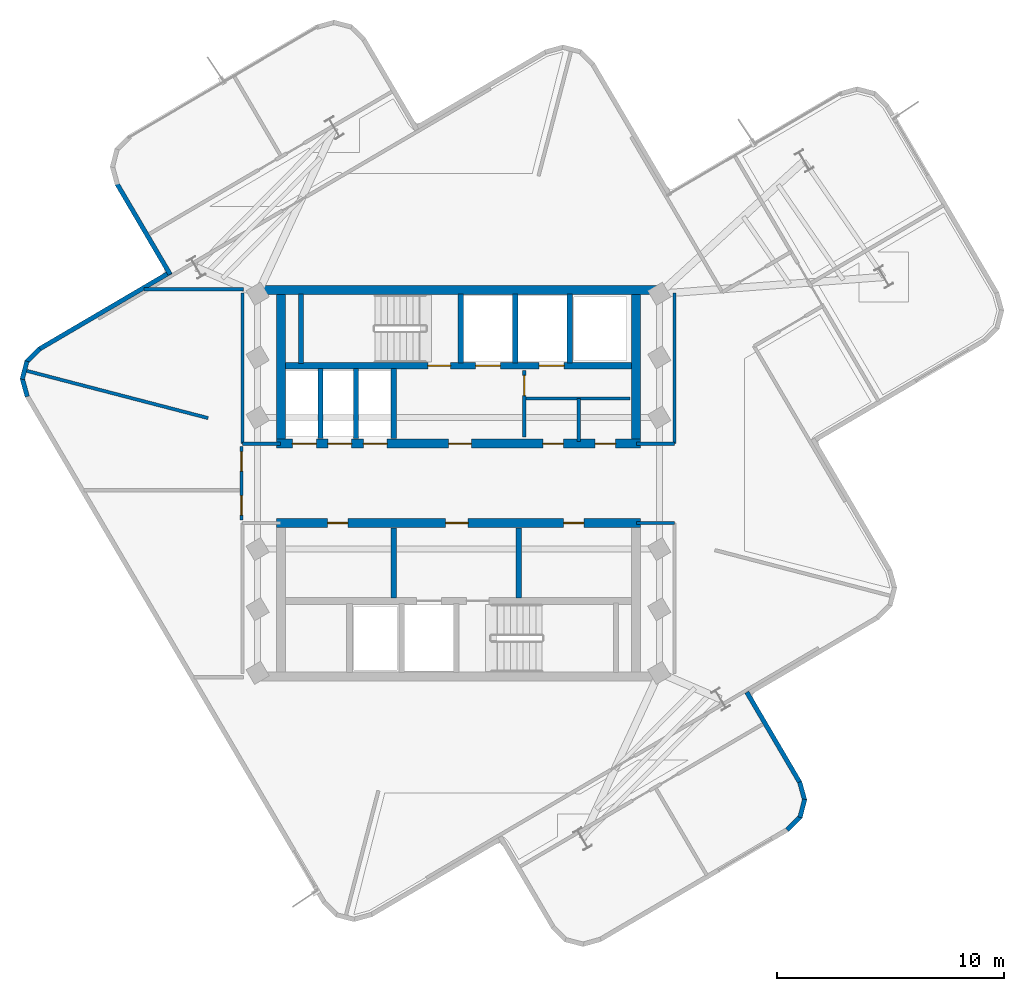
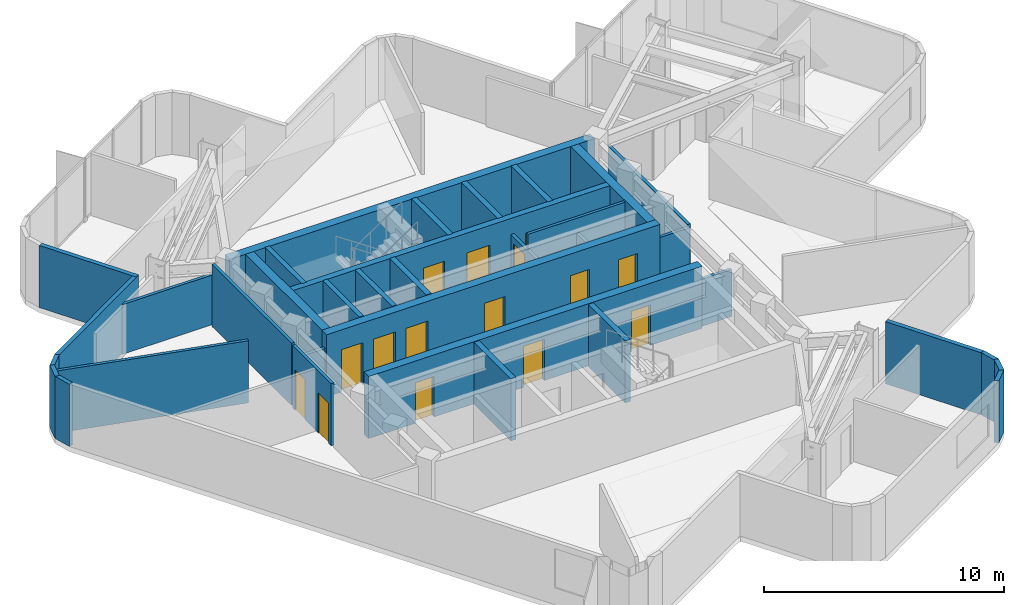
# One storey, part 4 of 8: 35 walls, 15 doors, 15 openings.
"""IFC4 building model written with IfcOpenShell, lengths in metres."""

from ifc_helpers import new_model, si_unit, direction, frame, frame_2d, origin, place, context, subcontext, project, spatial, rectangle, extrude, material, layer, layer_set, type_object, element, fill, save


model = new_model("IFC4")

# Units and contexts
model_context = context("Model", 3, precision=1e-05, world=origin(), true_north=direction((0.0, 1.0)))
body_context = subcontext(model_context, "Body", "Model", "MODEL_VIEW")
ifc_project = project(units=[si_unit("LENGTHUNIT", "METRE"), si_unit("AREAUNIT", "SQUARE_METRE"), si_unit("VOLUMEUNIT", "CUBIC_METRE"), si_unit("PLANEANGLEUNIT", "RADIAN"), si_unit("MASSUNIT", "GRAM", prefix="KILO")], contexts=[model_context])

# Site, building, storey
site_placement = place(None, origin())
site = spatial("IfcSite", under=ifc_project, at=site_placement, CompositionType="ELEMENT")
building_placement = place(site_placement, origin())
building = spatial("IfcBuilding", under=site, at=building_placement, Name="Solmarez Civic Tower", CompositionType="ELEMENT")
storey_placement = place(building_placement, frame((0.0, 0.0, 205.199951171875)))
storey = spatial("IfcBuildingStorey", under=building, at=storey_placement, Name="L54", CompositionType="ELEMENT", Elevation=205.199951171875)

# Wall
ifc_material_1 = material(Name="Concrete C50/60", Category="concrete")
ifc_layer_1 = layer(ifc_material_1, 0.39990234375)
ifc_layer_set_1 = layer_set([ifc_layer_1], Name="Concrete C50/60")
wall_type_1 = type_object("IfcWallType", Name="WALL-CORE-400", PredefinedType="SHEAR", material=ifc_layer_set_1)
wall_1_placement = place(storey_placement, frame((-8.780029296875, 8.510009765625, 0.0), z_axis=(0.0, 0.0, 1.0), x_axis=(1.0, 0.0, 0.0)))
element("IfcWall", 1, at=wall_1_placement, inside=storey, type_object=wall_type_1, Name="L54 Split-Core Structural Wall NCW-N-L54", PredefinedType="SHEAR", context=body_context, shape_type="SweptSolid", body=[
    extrude(rectangle(XDim=17.56005859375, YDim=0.39990234375, at=frame_2d((8.780029296875, 0.0))), origin(), (0.0, 0.0, 1.0), 3.16015625),
])

# Wall, openings, doors
wall_2_placement = place(storey_placement, frame((8.02001953125, 1.75, 0.0), z_axis=(0.0, 0.0, 1.0), x_axis=(-1.0, 0.0, 0.0)))
wall_2 = element("IfcWall", 2, at=wall_2_placement, inside=storey, type_object=wall_type_1, Name="L54 Split-Core Structural Wall NCW-S-L54", PredefinedType="SHEAR", context=body_context, shape_type="SweptSolid", body=[
    extrude(rectangle(XDim=16.0400390625, YDim=0.39990234375, at=frame_2d((8.02001953125, 0.0))), origin(), (0.0, 0.0, 1.0), 3.16015625),
])
opening_1_placement = place(wall_2_placement, frame((7.449951171875, 0.0, 0.0)))
opening_1 = element("IfcOpeningElement", 3, at=opening_1_placement, cuts=wall_2, Name="Opening D-04", PredefinedType="OPENING", context=body_context, shape_type="SweptSolid", body=[
    extrude(rectangle(XDim=1.0, YDim=2.10009765625, at=frame_2d((0.5, 1.050048828125))), frame((0.0, 0.2099609375, 0.0), z_axis=(0.0, -1.0, 0.0), x_axis=(1.0, 0.0, 0.0)), (0.0, 0.0, 1.0), 0.419921875),
])
opening_2_placement = place(wall_2_placement, frame((14.284912109375, 0.0, 0.0)))
opening_2 = element("IfcOpeningElement", 4, at=opening_2_placement, cuts=wall_2, Name="Opening LD-01", PredefinedType="OPENING", context=body_context, shape_type="SweptSolid", body=[
    extrude(rectangle(XDim=1.050048828125, YDim=2.14990234375, at=frame_2d((0.52490234375, 1.074951171875))), frame((0.0, 0.2099609375, 0.0), z_axis=(0.0, -1.0, 0.0), x_axis=(1.0, 0.0, 0.0)), (0.0, 0.0, 1.0), 0.419921875),
])
opening_3_placement = place(wall_2_placement, frame((12.72509765625, 0.0, 0.0)))
opening_3 = element("IfcOpeningElement", 5, at=opening_3_placement, cuts=wall_2, Name="Opening LD-01", PredefinedType="OPENING", context=body_context, shape_type="SweptSolid", body=[
    extrude(rectangle(XDim=1.050048828125, YDim=2.14990234375, at=frame_2d((0.52490234375, 1.074951171875))), frame((0.0, 0.2099609375, 0.0), z_axis=(0.0, -1.0, 0.0), x_axis=(1.0, 0.0, 0.0)), (0.0, 0.0, 1.0), 0.419921875),
])
opening_4_placement = place(wall_2_placement, frame((11.1650390625, 0.0, 0.0)))
opening_4 = element("IfcOpeningElement", 6, at=opening_4_placement, cuts=wall_2, Name="Opening LD-01", PredefinedType="OPENING", context=body_context, shape_type="SweptSolid", body=[
    extrude(rectangle(XDim=1.050048828125, YDim=2.14990234375, at=frame_2d((0.52490234375, 1.074951171875))), frame((0.0, 0.2099609375, 0.0), z_axis=(0.0, -1.0, 0.0), x_axis=(1.0, 0.0, 0.0)), (0.0, 0.0, 1.0), 0.419921875),
])
opening_5_placement = place(wall_2_placement, frame((3.39990234375, 0.0, 0.0)))
opening_5 = element("IfcOpeningElement", 7, at=opening_5_placement, cuts=wall_2, Name="Opening D-09", PredefinedType="OPENING", context=body_context, shape_type="SweptSolid", body=[
    extrude(rectangle(XDim=0.89990234375, YDim=2.06005859375, at=frame_2d((0.449951171875, 1.030029296875))), frame((0.0, 0.2099609375, 0.0), z_axis=(0.0, -1.0, 0.0), x_axis=(1.0, 0.0, 0.0)), (0.0, 0.0, 1.0), 0.419921875),
])
opening_6_placement = place(wall_2_placement, frame((1.10009765625, 0.0, 0.0)))
opening_6 = element("IfcOpeningElement", 8, at=opening_6_placement, cuts=wall_2, Name="Opening D-09", PredefinedType="OPENING", context=body_context, shape_type="SweptSolid", body=[
    extrude(rectangle(XDim=0.89990234375, YDim=2.06005859375, at=frame_2d((0.449951171875, 1.030029296875))), frame((0.0, 0.2099609375, 0.0), z_axis=(0.0, -1.0, 0.0), x_axis=(1.0, 0.0, 0.0)), (0.0, 0.0, 1.0), 0.419921875),
])
ifc_material_2 = material(Name="Steel-Faced Acoustic Fire Door", Category="steel")
door_type_1 = type_object("IfcDoorType", Name="DOOR-FD60-1000", OperationType="NOTDEFINED", PredefinedType="DOOR", material=ifc_material_2)
door_1_placement = place(opening_1_placement, origin())
door_1 = element("IfcDoor", 9, at=door_1_placement, inside=storey, type_object=door_type_1, Name="L54 North Firefighting Lobby Door", OperationType="SINGLE_SWING_LEFT", OverallHeight=2.10009765625, OverallWidth=1.0, PredefinedType="DOOR", context=body_context, shape_type="SweptSolid", body=[
    extrude(rectangle(XDim=1.0, YDim=2.10009765625, at=frame_2d((0.5, 1.050048828125))), frame((0.0, 0.02490234375, 0.0), z_axis=(0.0, -1.0, 0.0), x_axis=(1.0, 0.0, 0.0)), (0.0, 0.0, 1.0), 0.050048828125),
])
fill(opening_1, door_1)
ifc_material_3 = material(Name="Fire-Rated Service Core Door", Category="wood")
door_type_2 = type_object("IfcDoorType", Name="DOOR-FD60-900", OperationType="NOTDEFINED", PredefinedType="DOOR", material=ifc_material_3)
door_2_placement = place(opening_5_placement, origin())
door_2 = element("IfcDoor", 10, at=door_2_placement, inside=storey, type_object=door_type_2, Name="L54 Core WC Door", OperationType="SINGLE_SWING_LEFT", OverallHeight=2.06005859375, OverallWidth=0.89990234375, PredefinedType="DOOR", context=body_context, shape_type="SweptSolid", body=[
    extrude(rectangle(XDim=0.89990234375, YDim=2.06005859375, at=frame_2d((0.449951171875, 1.030029296875))), frame((0.0, 0.02490234375, 0.0), z_axis=(0.0, -1.0, 0.0), x_axis=(1.0, 0.0, 0.0)), (0.0, 0.0, 1.0), 0.050048828125),
])
fill(opening_5, door_2)
door_3_placement = place(opening_6_placement, origin())
door_3 = element("IfcDoor", 11, at=door_3_placement, inside=storey, type_object=door_type_2, Name="L54 Core CL Door", OperationType="SINGLE_SWING_RIGHT", OverallHeight=2.06005859375, OverallWidth=0.89990234375, PredefinedType="DOOR", context=body_context, shape_type="SweptSolid", body=[
    extrude(rectangle(XDim=0.89990234375, YDim=2.06005859375, at=frame_2d((0.449951171875, 1.030029296875))), frame((0.0, 0.02490234375, 0.0), z_axis=(0.0, -1.0, 0.0), x_axis=(1.0, 0.0, 0.0)), (0.0, 0.0, 1.0), 0.050048828125),
])
fill(opening_6, door_3)
ifc_material_4 = material(Name="Bronze Passenger Lift Landing Sliding Door", Category="aluminium")
door_type_3 = type_object("IfcDoorType", Name="DOOR-LD-PAX-1050", OperationType="DOUBLE_DOOR_SLIDING", PredefinedType="DOOR", material=ifc_material_4)
door_4_placement = place(opening_2_placement, origin())
door_4 = element("IfcDoor", 12, at=door_4_placement, inside=storey, type_object=door_type_3, Name="L54 High-Rise Lift Landing Door PL-H1", OperationType="DOUBLE_DOOR_SLIDING", OverallHeight=2.14990234375, OverallWidth=1.050048828125, PredefinedType="DOOR", context=body_context, shape_type="SweptSolid", body=[
    extrude(rectangle(XDim=1.050048828125, YDim=2.14990234375, at=frame_2d((0.52490234375, 1.074951171875))), frame((0.0, 0.02490234375, 0.0), z_axis=(0.0, -1.0, 0.0), x_axis=(1.0, 0.0, 0.0)), (0.0, 0.0, 1.0), 0.050048828125),
])
fill(opening_2, door_4)
door_5_placement = place(opening_3_placement, origin())
door_5 = element("IfcDoor", 13, at=door_5_placement, inside=storey, type_object=door_type_3, Name="L54 High-Rise Lift Landing Door PL-H2", OperationType="DOUBLE_DOOR_SLIDING", OverallHeight=2.14990234375, OverallWidth=1.050048828125, PredefinedType="DOOR", context=body_context, shape_type="SweptSolid", body=[
    extrude(rectangle(XDim=1.050048828125, YDim=2.14990234375, at=frame_2d((0.52490234375, 1.074951171875))), frame((0.0, 0.02490234375, 0.0), z_axis=(0.0, -1.0, 0.0), x_axis=(1.0, 0.0, 0.0)), (0.0, 0.0, 1.0), 0.050048828125),
])
fill(opening_3, door_5)
door_6_placement = place(opening_4_placement, origin())
door_6 = element("IfcDoor", 14, at=door_6_placement, inside=storey, type_object=door_type_3, Name="L54 High-Rise Lift Landing Door PL-H3", OperationType="DOUBLE_DOOR_SLIDING", OverallHeight=2.14990234375, OverallWidth=1.050048828125, PredefinedType="DOOR", context=body_context, shape_type="SweptSolid", body=[
    extrude(rectangle(XDim=1.050048828125, YDim=2.14990234375, at=frame_2d((0.52490234375, 1.074951171875))), frame((0.0, 0.02490234375, 0.0), z_axis=(0.0, -1.0, 0.0), x_axis=(1.0, 0.0, 0.0)), (0.0, 0.0, 1.0), 0.050048828125),
])
fill(opening_4, door_6)

# Walls
for number, where, z_axis, x_axis, name in (
    (15, (-7.820068359375, 1.949951171875, 0.0), (0.0, 0.0, 1.0), (0.0, 1.0, 0.0), "L54 Split-Core Structural Wall NCW-W-L54"),
    (16, (7.820068359375, 8.31005859375, 0.0), (0.0, 0.0, 1.0), (0.0, -1.0, 0.0), "L54 Split-Core Structural Wall NCW-E-L54"),
):
    element("IfcWall", number, at=place(storey_placement, frame(where, z_axis=z_axis, x_axis=x_axis)), inside=storey, type_object=wall_type_1, Name=name, PredefinedType="SHEAR", context=body_context, shape_type="SweptSolid", body=[
        extrude(rectangle(XDim=6.360107421875, YDim=0.39990234375, at=frame_2d((3.18017578125, 0.0))), origin(), (0.0, 0.0, 1.0), 3.16015625),
    ])

# Wall, openings, doors
wall_3_placement = place(storey_placement, frame((-8.02001953125, -1.75, 0.0), z_axis=(0.0, 0.0, 1.0), x_axis=(1.0, 0.0, 0.0)))
wall_3 = element("IfcWall", 17, at=wall_3_placement, inside=storey, type_object=wall_type_1, Name="L54 Split-Core Structural Wall SCW-N-L54", PredefinedType="SHEAR", context=body_context, shape_type="SweptSolid", body=[
    extrude(rectangle(XDim=16.0400390625, YDim=0.39990234375, at=frame_2d((8.02001953125, 0.0))), origin(), (0.0, 0.0, 1.0), 3.16015625),
])
opening_7_placement = place(wall_3_placement, frame((7.449951171875, 0.0, 0.0)))
opening_7 = element("IfcOpeningElement", 18, at=opening_7_placement, cuts=wall_3, Name="Opening D-04", PredefinedType="OPENING", context=body_context, shape_type="SweptSolid", body=[
    extrude(rectangle(XDim=1.0, YDim=2.10009765625, at=frame_2d((0.5, 1.050048828125))), frame((0.0, 0.2099609375, 0.0), z_axis=(0.0, -1.0, 0.0), x_axis=(1.0, 0.0, 0.0)), (0.0, 0.0, 1.0), 0.419921875),
])
opening_8_placement = place(wall_3_placement, frame((12.64990234375, 0.0, 0.0)))
opening_8 = element("IfcOpeningElement", 19, at=opening_8_placement, cuts=wall_3, Name="Opening D-09", PredefinedType="OPENING", context=body_context, shape_type="SweptSolid", body=[
    extrude(rectangle(XDim=0.89990234375, YDim=2.06005859375, at=frame_2d((0.449951171875, 1.030029296875))), frame((0.0, 0.2099609375, 0.0), z_axis=(0.0, -1.0, 0.0), x_axis=(1.0, 0.0, 0.0)), (0.0, 0.0, 1.0), 0.419921875),
])
opening_9_placement = place(wall_3_placement, frame((2.25, 0.0, 0.0)))
opening_9 = element("IfcOpeningElement", 20, at=opening_9_placement, cuts=wall_3, Name="Opening D-09", PredefinedType="OPENING", context=body_context, shape_type="SweptSolid", body=[
    extrude(rectangle(XDim=0.89990234375, YDim=2.06005859375, at=frame_2d((0.449951171875, 1.030029296875))), frame((0.0, 0.2099609375, 0.0), z_axis=(0.0, -1.0, 0.0), x_axis=(1.0, 0.0, 0.0)), (0.0, 0.0, 1.0), 0.419921875),
])
door_7_placement = place(opening_7_placement, origin())
door_7 = element("IfcDoor", 21, at=door_7_placement, inside=storey, type_object=door_type_1, Name="L54 South Firefighting Lobby Door", OperationType="SINGLE_SWING_RIGHT", OverallHeight=2.10009765625, OverallWidth=1.0, PredefinedType="DOOR", context=body_context, shape_type="SweptSolid", body=[
    extrude(rectangle(XDim=1.0, YDim=2.10009765625, at=frame_2d((0.5, 1.050048828125))), frame((0.0, 0.02490234375, 0.0), z_axis=(0.0, -1.0, 0.0), x_axis=(1.0, 0.0, 0.0)), (0.0, 0.0, 1.0), 0.050048828125),
])
fill(opening_7, door_7)
door_8_placement = place(opening_8_placement, origin())
door_8 = element("IfcDoor", 22, at=door_8_placement, inside=storey, type_object=door_type_2, Name="L54 Freed Hoistway Mailroom Door", OperationType="SINGLE_SWING_LEFT", OverallHeight=2.06005859375, OverallWidth=0.89990234375, PredefinedType="DOOR", context=body_context, shape_type="SweptSolid", body=[
    extrude(rectangle(XDim=0.89990234375, YDim=2.06005859375, at=frame_2d((0.449951171875, 1.030029296875))), frame((0.0, 0.02490234375, 0.0), z_axis=(0.0, -1.0, 0.0), x_axis=(1.0, 0.0, 0.0)), (0.0, 0.0, 1.0), 0.050048828125),
])
fill(opening_8, door_8)
door_9_placement = place(opening_9_placement, origin())
door_9 = element("IfcDoor", 23, at=door_9_placement, inside=storey, type_object=door_type_2, Name="L54 Delegation Tea Pantry Door", OperationType="SINGLE_SWING_RIGHT", OverallHeight=2.06005859375, OverallWidth=0.89990234375, PredefinedType="DOOR", context=body_context, shape_type="SweptSolid", body=[
    extrude(rectangle(XDim=0.89990234375, YDim=2.06005859375, at=frame_2d((0.449951171875, 1.030029296875))), frame((0.0, 0.02490234375, 0.0), z_axis=(0.0, -1.0, 0.0), x_axis=(1.0, 0.0, 0.0)), (0.0, 0.0, 1.0), 0.050048828125),
])
fill(opening_9, door_9)

# Walls
ifc_material_5 = material(Name="Precast concrete C40/50", Category="concrete")
ifc_layer_2 = layer(ifc_material_5, 0.199951171875)
ifc_layer_set_2 = layer_set([ifc_layer_2], Name="Precast concrete C40/50")
wall_type_2 = type_object("IfcWallType", Name="WALL-EXT-200", PredefinedType="SOLIDWALL", material=ifc_layer_set_2)
wall_4_placement = place(storey_placement, frame((-19.0029296875, 3.822021484375, 0.0), z_axis=(0.0, 0.0, 1.0), x_axis=(-0.266246353668, 0.963905015631, 0.0)))
element("IfcWall", 24, at=wall_4_placement, inside=storey, type_object=wall_type_2, Name="L54 Exterior Precast Wall 7", PredefinedType="SOLIDWALL", context=body_context, shape_type="SweptSolid", body=[
    extrude(rectangle(XDim=0.838134765625, YDim=0.199951171875, at=frame_2d((0.4189453125, 0.0))), origin(), (0.0, 0.0, 1.0), 3.16015625),
])
wall_5_placement = place(storey_placement, frame((-19.22509765625, 4.58203125, 0.0), z_axis=(0.0, 0.0, 1.0), x_axis=(0.251167733737, 0.967943577658, 0.0)))
element("IfcWall", 25, at=wall_5_placement, inside=storey, type_object=wall_type_2, Name="L54 Exterior Precast Wall 8", PredefinedType="SOLIDWALL", context=body_context, shape_type="SweptSolid", body=[
    extrude(rectangle(XDim=0.82421875, YDim=0.199951171875, at=frame_2d((0.412109375, 0.0))), origin(), (0.0, 0.0, 1.0), 3.16015625),
])
wall_6_placement = place(storey_placement, frame((-19.0419921875, 5.337890625, 0.0), z_axis=(0.0, 0.0, 1.0), x_axis=(0.702877524881, 0.711310891957, 0.0)))
element("IfcWall", 26, at=wall_6_placement, inside=storey, type_object=wall_type_2, Name="L54 Exterior Precast Wall 9", PredefinedType="SOLIDWALL", context=body_context, shape_type="SweptSolid", body=[
    extrude(rectangle(XDim=0.839599609375, YDim=0.199951171875, at=frame_2d((0.419921875, 0.0))), origin(), (0.0, 0.0, 1.0), 3.16015625),
])
wall_7_placement = place(storey_placement, frame((-18.491943359375, 5.904052734375, 0.0), z_axis=(0.0, 0.0, 1.0), x_axis=(0.86245977502, 0.506125613333, 0.0)))
element("IfcWall", 27, at=wall_7_placement, inside=storey, type_object=wall_type_2, Name="L54 Exterior Precast Wall 10", PredefinedType="SOLIDWALL", context=body_context, shape_type="SweptSolid", body=[
    extrude(rectangle(XDim=6.7412109375, YDim=0.199951171875, at=frame_2d((3.37060546875, 0.0))), origin(), (0.0, 0.0, 1.0), 3.16015625),
])
for number, where, z_axis, x_axis, name in (
    (28, (-12.70703125, 9.20703125, 0.0), (0.0, 0.0, 1.0), (-0.505936854923, 0.862570518178, 0.0), "L54 Exterior Precast Wall 13"),
    (29, (12.70703125, -9.20703125, 0.0), (0.0, 0.0, 1.0), (0.505936854923, -0.862570518178, 0.0), "L54 Exterior Precast Wall 49"),
):
    element("IfcWall", number, at=place(storey_placement, frame(where, z_axis=z_axis, x_axis=x_axis)), inside=storey, type_object=wall_type_2, Name=name, PredefinedType="SOLIDWALL", context=body_context, shape_type="SweptSolid", body=[
        extrude(rectangle(XDim=4.640625, YDim=0.199951171875, at=frame_2d((2.3203125, 0.0))), origin(), (0.0, 0.0, 1.0), 3.16015625),
    ])
wall_8_placement = place(storey_placement, frame((15.034912109375, -13.1640625, 0.0), z_axis=(0.0, 0.0, 1.0), x_axis=(0.266246353668, -0.963905015631, 0.0)))
element("IfcWall", 30, at=wall_8_placement, inside=storey, type_object=wall_type_2, Name="L54 Exterior Precast Wall 50", PredefinedType="SOLIDWALL", context=body_context, shape_type="SweptSolid", body=[
    extrude(rectangle(XDim=0.838134765625, YDim=0.199951171875, at=frame_2d((0.4189453125, 0.0))), origin(), (0.0, 0.0, 1.0), 3.16015625),
])
wall_9_placement = place(storey_placement, frame((15.257080078125, -13.924072265625, 0.0), z_axis=(0.0, 0.0, 1.0), x_axis=(-0.251167733737, -0.967943577658, 0.0)))
element("IfcWall", 31, at=wall_9_placement, inside=storey, type_object=wall_type_2, Name="L54 Exterior Precast Wall 51", PredefinedType="SOLIDWALL", context=body_context, shape_type="SweptSolid", body=[
    extrude(rectangle(XDim=0.82421875, YDim=0.199951171875, at=frame_2d((0.412109375, 0.0))), origin(), (0.0, 0.0, 1.0), 3.16015625),
])
wall_10_placement = place(storey_placement, frame((15.073974609375, -14.679931640625, 0.0), z_axis=(0.0, 0.0, 1.0), x_axis=(-0.702877524881, -0.711310891957, 0.0)))
element("IfcWall", 32, at=wall_10_placement, inside=storey, type_object=wall_type_2, Name="L54 Exterior Precast Wall 52", PredefinedType="SOLIDWALL", context=body_context, shape_type="SweptSolid", body=[
    extrude(rectangle(XDim=0.839599609375, YDim=0.199951171875, at=frame_2d((0.419921875, 0.0))), origin(), (0.0, 0.0, 1.0), 3.16015625),
])
ifc_material_6 = material(Name="Gypsum Board Acoustic Steel-Stud Partition", Category="steel")
ifc_layer_3 = layer(ifc_material_6, 0.14990234375)
ifc_layer_set_3 = layer_set([ifc_layer_3], Name="Gypsum Board Acoustic Steel-Stud Partition")
wall_type_3 = type_object("IfcWallType", Name="WALL-INT-FIRE-150", PredefinedType="PARTITIONING", material=ifc_layer_set_3)
wall_11_placement = place(storey_placement, frame((-9.52001953125, 1.75, 0.0), z_axis=(0.0, 0.0, 1.0), x_axis=(0.0, 1.0, 0.0)))
element("IfcWall", 33, at=wall_11_placement, inside=storey, type_object=wall_type_3, Name="L54 Interior Partition CHW-L54-WN1", PredefinedType="PARTITIONING", context=body_context, shape_type="SweptSolid", body=[
    extrude(rectangle(XDim=6.6298828125, YDim=0.14990234375, at=frame_2d((3.31494140625, 0.0))), origin(), (0.0, 0.0, 1.0), 3.16015625),
])
wall_12_placement = place(storey_placement, frame((-7.85009765625, 1.75, 0.0), z_axis=(0.0, 0.0, 1.0), x_axis=(-1.0, 0.0, 0.0)))
element("IfcWall", 34, at=wall_12_placement, inside=storey, type_object=wall_type_3, Name="L54 Interior Partition CHW-L54-WN3", PredefinedType="PARTITIONING", context=body_context, shape_type="SweptSolid", body=[
    extrude(rectangle(XDim=1.669921875, YDim=0.14990234375, at=frame_2d((0.8349609375, 0.0))), origin(), (0.0, 0.0, 1.0), 2.39013671875),
])
wall_13_placement = place(storey_placement, frame((9.52001953125, 1.75, 0.0), z_axis=(0.0, 0.0, 1.0), x_axis=(0.0, 1.0, 0.0)))
element("IfcWall", 35, at=wall_13_placement, inside=storey, type_object=wall_type_3, Name="L54 Interior Partition CHW-L54-EN1", PredefinedType="PARTITIONING", context=body_context, shape_type="SweptSolid", body=[
    extrude(rectangle(XDim=6.6298828125, YDim=0.14990234375, at=frame_2d((3.31494140625, 0.0))), origin(), (0.0, 0.0, 1.0), 2.530029296875),
])
for number, where, z_axis, x_axis, name in (
    (36, (7.85009765625, 1.75, 0.0), (0.0, 0.0, 1.0), (1.0, 0.0, 0.0), "L54 Interior Partition CHW-L54-EN3"),
    (37, (7.85009765625, -1.75, 0.0), (0.0, 0.0, 1.0), (1.0, 0.0, 0.0), "L54 Interior Partition CHW-L54-ES3"),
):
    element("IfcWall", number, at=place(storey_placement, frame(where, z_axis=z_axis, x_axis=x_axis)), inside=storey, type_object=wall_type_3, Name=name, PredefinedType="PARTITIONING", context=body_context, shape_type="SweptSolid", body=[
        extrude(rectangle(XDim=1.669921875, YDim=0.14990234375, at=frame_2d((0.8349609375, 0.0))), origin(), (0.0, 0.0, 1.0), 2.39013671875),
    ])
ifc_layer_4 = layer(ifc_material_6, 0.14501953125)
ifc_layer_set_4 = layer_set([ifc_layer_4], Name="Gypsum Board Acoustic Steel-Stud Partition")
wall_type_4 = type_object("IfcWallType", Name="WALL-INT-PART-150", PredefinedType="PARTITIONING", material=ifc_layer_set_4)
wall_14_placement = place(storey_placement, frame((-13.85400390625, 8.550048828125, 0.0), z_axis=(0.0, 0.0, 1.0), x_axis=(1.0, 0.0, 0.0)))
element("IfcWall", 38, at=wall_14_placement, inside=storey, type_object=wall_type_4, Name="L54 Interior Partition PT-L54-WH-BN", PredefinedType="PARTITIONING", context=body_context, shape_type="SweptSolid", body=[
    extrude(rectangle(XDim=4.3740234375, YDim=0.14501953125, at=frame_2d((2.18701171875, 0.0))), origin(), (0.0, 0.0, 1.0), 2.530029296875),
])

# Wall, openings, doors
wall_15_placement = place(storey_placement, frame((-9.56005859375, -1.6201171875, 0.0), z_axis=(0.0, 0.0, 1.0), x_axis=(0.0, 1.0, 0.0)))
wall_15 = element("IfcWall", 39, at=wall_15_placement, inside=storey, type_object=wall_type_4, Name="L54 Interior Partition PT-L54-WH-ENT", PredefinedType="PARTITIONING", context=body_context, shape_type="SweptSolid", body=[
    extrude(rectangle(XDim=3.240234375, YDim=0.14501953125, at=frame_2d((1.6201171875, 0.0))), origin(), (0.0, 0.0, 1.0), 3.16015625),
])
opening_10_placement = place(wall_15_placement, frame((0.219970703125, 0.0, 0.0)))
opening_10 = element("IfcOpeningElement", 40, at=opening_10_placement, cuts=wall_15, Name="Opening D-14", PredefinedType="OPENING", context=body_context, shape_type="SweptSolid", body=[
    extrude(rectangle(XDim=0.860107421875, YDim=2.0400390625, at=frame_2d((0.43017578125, 1.02001953125))), frame((0.0, 0.08251953125, 0.0), z_axis=(0.0, -1.0, 0.0), x_axis=(1.0, 0.0, 0.0)), (0.0, 0.0, 1.0), 0.1650390625),
])
opening_11_placement = place(wall_15_placement, frame((2.159912109375, 0.0, 0.0)))
opening_11 = element("IfcOpeningElement", 41, at=opening_11_placement, cuts=wall_15, Name="Opening D-14", PredefinedType="OPENING", context=body_context, shape_type="SweptSolid", body=[
    extrude(rectangle(XDim=0.860107421875, YDim=2.0400390625, at=frame_2d((0.43017578125, 1.02001953125))), frame((0.0, 0.08251953125, 0.0), z_axis=(0.0, -1.0, 0.0), x_axis=(1.0, 0.0, 0.0)), (0.0, 0.0, 1.0), 0.1650390625),
])
ifc_material_7 = material(Name="Timber Storage and Pantry Door", Category="wood")
door_type_4 = type_object("IfcDoorType", Name="DOOR-INT-850", OperationType="NOTDEFINED", PredefinedType="DOOR", material=ifc_material_7)
door_10_placement = place(opening_10_placement, origin())
door_10 = element("IfcDoor", 42, at=door_10_placement, inside=storey, type_object=door_type_4, Name="L54 Staff Pantry West Second Door", OperationType="SINGLE_SWING_RIGHT", OverallHeight=2.0400390625, OverallWidth=0.860107421875, PredefinedType="DOOR", context=body_context, shape_type="SweptSolid", body=[
    extrude(rectangle(XDim=0.860107421875, YDim=2.0400390625, at=frame_2d((0.43017578125, 1.02001953125))), frame((0.0, 0.02490234375, 0.0), z_axis=(0.0, -1.0, 0.0), x_axis=(1.0, 0.0, 0.0)), (0.0, 0.0, 1.0), 0.050048828125),
])
fill(opening_10, door_10)
door_11_placement = place(opening_11_placement, origin())
door_11 = element("IfcDoor", 43, at=door_11_placement, inside=storey, type_object=door_type_4, Name="L54 Policy Boardroom West First Door", OperationType="SINGLE_SWING_LEFT", OverallHeight=2.0400390625, OverallWidth=0.860107421875, PredefinedType="DOOR", context=body_context, shape_type="SweptSolid", body=[
    extrude(rectangle(XDim=0.860107421875, YDim=2.0400390625, at=frame_2d((0.43017578125, 1.02001953125))), frame((0.0, 0.02490234375, 0.0), z_axis=(0.0, -1.0, 0.0), x_axis=(1.0, 0.0, 0.0)), (0.0, 0.0, 1.0), 0.050048828125),
])
fill(opening_11, door_11)

# Wall
wall_16_placement = place(storey_placement, frame((-11.031982421875, 2.8740234375, 0.0), z_axis=(0.0, 0.0, 1.0), x_axis=(-0.967704417597, 0.252087604146, 0.0)))
element("IfcWall", 44, at=wall_16_placement, inside=storey, type_object=wall_type_4, Name="L54 Interior Partition PT-L54-QDIV-2", PredefinedType="PARTITIONING", context=body_context, shape_type="SweptSolid", body=[
    extrude(rectangle(XDim=8.294921875, YDim=0.14501953125, at=frame_2d((4.1474609375, 0.0))), origin(), (0.0, 0.0, 1.0), 3.16015625),
])

# Wall, opening, door
ifc_layer_5 = layer(ifc_material_6, 0.159912109375)
ifc_layer_set_5 = layer_set([ifc_layer_5], Name="Gypsum Board Acoustic Steel-Stud Partition")
wall_type_5 = type_object("IfcWallType", Name="WALL-INT-SHAFT-160", PredefinedType="PARTITIONING", material=ifc_layer_set_5)
wall_17_placement = place(storey_placement, frame((2.89990234375, 2.0400390625, 0.0), z_axis=(0.0, 0.0, 1.0), x_axis=(0.0, 1.0, 0.0)))
wall_17 = element("IfcWall", 45, at=wall_17_placement, inside=storey, type_object=wall_type_5, Name="L54 Interior Partition SHW-NL2-L54", PredefinedType="PARTITIONING", context=body_context, shape_type="SweptSolid", body=[
    extrude(rectangle(XDim=2.93994140625, YDim=0.159912109375, at=frame_2d((1.469970703125, 0.0))), origin(), (0.0, 0.0, 1.0), 2.39013671875),
])
opening_12_placement = place(wall_17_placement, frame((1.820068359375, 0.0, 0.0)))
opening_12 = element("IfcOpeningElement", 46, at=opening_12_placement, cuts=wall_17, Name="Opening D-09", PredefinedType="OPENING", context=body_context, shape_type="SweptSolid", body=[
    extrude(rectangle(XDim=0.89990234375, YDim=2.06005859375, at=frame_2d((0.449951171875, 1.030029296875))), frame((0.0, 0.08984375, 0.0), z_axis=(0.0, -1.0, 0.0), x_axis=(1.0, 0.0, 0.0)), (0.0, 0.0, 1.0), 0.179931640625),
])
door_12_placement = place(opening_12_placement, origin())
door_12 = element("IfcDoor", 47, at=door_12_placement, inside=storey, type_object=door_type_2, Name="L54 Service Lift Lobby Door", OperationType="SINGLE_SWING_LEFT", OverallHeight=2.06005859375, OverallWidth=0.89990234375, PredefinedType="DOOR", context=body_context, shape_type="SweptSolid", body=[
    extrude(rectangle(XDim=0.89990234375, YDim=2.06005859375, at=frame_2d((0.449951171875, 1.030029296875))), frame((0.0, 0.02490234375, 0.0), z_axis=(0.0, -1.0, 0.0), x_axis=(1.0, 0.0, 0.0)), (0.0, 0.0, 1.0), 0.050048828125),
])
fill(opening_12, door_12)

# Walls
ifc_layer_6 = layer(ifc_material_6, 0.137939453125)
ifc_layer_set_6 = layer_set([ifc_layer_6], Name="Gypsum Board Acoustic Steel-Stud Partition")
wall_type_6 = type_object("IfcWallType", Name="WALL-INT-WET-140", PredefinedType="PARTITIONING", material=ifc_layer_set_6)
wall_18_placement = place(storey_placement, frame((2.89990234375, 3.739990234375, 0.0), z_axis=(0.0, 0.0, 1.0), x_axis=(1.0, 0.0, 0.0)))
element("IfcWall", 48, at=wall_18_placement, inside=storey, type_object=wall_type_6, Name="L54 Interior Partition SHW-SVH-L54", PredefinedType="PARTITIONING", context=body_context, shape_type="SweptSolid", body=[
    extrude(rectangle(XDim=4.650146484375, YDim=0.137939453125, at=frame_2d((2.3251953125, 0.0))), origin(), (0.0, 0.0, 1.0), 3.16015625),
])
wall_19_placement = place(storey_placement, frame((5.300048828125, 1.85009765625, 0.0), z_axis=(0.0, 0.0, 1.0), x_axis=(0.0, 1.0, 0.0)))
element("IfcWall", 49, at=wall_19_placement, inside=storey, type_object=wall_type_6, Name="L54 Interior Partition PT-NCSV-L54", PredefinedType="PARTITIONING", context=body_context, shape_type="SweptSolid", body=[
    extrude(rectangle(XDim=1.889892578125, YDim=0.137939453125, at=frame_2d((0.94482421875, 0.0))), origin(), (0.0, 0.0, 1.0), 2.39013671875),
])

# Wall, openings, doors
ifc_layer_7 = layer(ifc_material_1, 0.300048828125)
ifc_layer_set_7 = layer_set([ifc_layer_7], Name="Concrete C50/60")
wall_type_7 = type_object("IfcWallType", Name="WALL-STR-300", PredefinedType="SOLIDWALL", material=ifc_layer_set_7)
wall_20_placement = place(storey_placement, frame((7.6201171875, 5.179931640625, 0.0), z_axis=(0.0, 0.0, 1.0), x_axis=(-1.0, 0.0, 0.0)))
wall_20 = element("IfcWall", 50, at=wall_20_placement, inside=storey, type_object=wall_type_7, Name="L54 Split-Core Structural Wall NCW-M-L54", PredefinedType="SOLIDWALL", context=body_context, shape_type="SweptSolid", body=[
    extrude(rectangle(XDim=15.240234375, YDim=0.300048828125, at=frame_2d((7.6201171875, 0.0))), origin(), (0.0, 0.0, 1.0), 3.16015625),
])
opening_13_placement = place(wall_20_placement, frame((5.77001953125, 0.0, 0.0)))
opening_13 = element("IfcOpeningElement", 51, at=opening_13_placement, cuts=wall_20, Name="Opening LD-02", PredefinedType="OPENING", context=body_context, shape_type="SweptSolid", body=[
    extrude(rectangle(XDim=1.10009765625, YDim=2.14990234375, at=frame_2d((0.550048828125, 1.074951171875))), frame((0.0, 0.159912109375, 0.0), z_axis=(0.0, -1.0, 0.0), x_axis=(1.0, 0.0, 0.0)), (0.0, 0.0, 1.0), 0.320068359375),
])
opening_14_placement = place(wall_20_placement, frame((2.969970703125, 0.0, 0.0)))
opening_14 = element("IfcOpeningElement", 52, at=opening_14_placement, cuts=wall_20, Name="Opening LD-03", PredefinedType="OPENING", context=body_context, shape_type="SweptSolid", body=[
    extrude(rectangle(XDim=1.10009765625, YDim=2.14990234375, at=frame_2d((0.550048828125, 1.074951171875))), frame((0.0, 0.159912109375, 0.0), z_axis=(0.0, -1.0, 0.0), x_axis=(1.0, 0.0, 0.0)), (0.0, 0.0, 1.0), 0.320068359375),
])
opening_15_placement = place(wall_20_placement, frame((7.969970703125, 0.0, 0.0)))
opening_15 = element("IfcOpeningElement", 53, at=opening_15_placement, cuts=wall_20, Name="Opening D-05", PredefinedType="OPENING", context=body_context, shape_type="SweptSolid", body=[
    extrude(rectangle(XDim=1.0, YDim=2.10009765625, at=frame_2d((0.5, 1.050048828125))), frame((0.0, 0.159912109375, 0.0), z_axis=(0.0, -1.0, 0.0), x_axis=(1.0, 0.0, 0.0)), (0.0, 0.0, 1.0), 0.320068359375),
])
ifc_material_8 = material(Name="Fire-Rated Stairwell Exit Door", Category="wood")
door_type_5 = type_object("IfcDoorType", Name="DOOR-FD90-1000", OperationType="NOTDEFINED", PredefinedType="DOOR", material=ifc_material_8)
door_13_placement = place(opening_15_placement, origin())
door_13 = element("IfcDoor", 54, at=door_13_placement, inside=storey, type_object=door_type_5, Name="L54 North Exit Stair Door ST-1", OperationType="SINGLE_SWING_LEFT", OverallHeight=2.10009765625, OverallWidth=1.0, PredefinedType="DOOR", context=body_context, shape_type="SweptSolid", body=[
    extrude(rectangle(XDim=1.0, YDim=2.10009765625, at=frame_2d((0.5, 1.050048828125))), frame((0.0, 0.02490234375, 0.0), z_axis=(0.0, -1.0, 0.0), x_axis=(1.0, 0.0, 0.0)), (0.0, 0.0, 1.0), 0.050048828125),
])
fill(opening_15, door_13)
ifc_material_9 = material(Name="Stainless Firefighting Lift Landing Sliding Door", Category="aluminium")
door_type_6 = type_object("IfcDoorType", Name="DOOR-LD-FF-1100", OperationType="DOUBLE_DOOR_SLIDING", PredefinedType="DOOR", material=ifc_material_9)
door_14_placement = place(opening_13_placement, origin())
door_14 = element("IfcDoor", 55, at=door_14_placement, inside=storey, type_object=door_type_6, Name="L54 Firefighting Lift Landing Door FFL-1", OperationType="DOUBLE_DOOR_SLIDING", OverallHeight=2.14990234375, OverallWidth=1.10009765625, PredefinedType="DOOR", context=body_context, shape_type="SweptSolid", body=[
    extrude(rectangle(XDim=1.10009765625, YDim=2.14990234375, at=frame_2d((0.550048828125, 1.074951171875))), frame((0.0, 0.02490234375, 0.0), z_axis=(0.0, -1.0, 0.0), x_axis=(1.0, 0.0, 0.0)), (0.0, 0.0, 1.0), 0.050048828125),
])
fill(opening_13, door_14)
ifc_material_10 = material(Name="Stainless Stretcher Lift Landing Sliding Door", Category="aluminium")
door_type_7 = type_object("IfcDoorType", Name="DOOR-LD-SV-1100", OperationType="DOUBLE_DOOR_SLIDING", PredefinedType="DOOR", material=ifc_material_10)
door_15_placement = place(opening_14_placement, origin())
door_15 = element("IfcDoor", 56, at=door_15_placement, inside=storey, type_object=door_type_7, Name="L54 Service Stretcher Lift Landing Door SVL-1", OperationType="DOUBLE_DOOR_SLIDING", OverallHeight=2.14990234375, OverallWidth=1.10009765625, PredefinedType="DOOR", context=body_context, shape_type="SweptSolid", body=[
    extrude(rectangle(XDim=1.10009765625, YDim=2.14990234375, at=frame_2d((0.550048828125, 1.074951171875))), frame((0.0, 0.02490234375, 0.0), z_axis=(0.0, -1.0, 0.0), x_axis=(1.0, 0.0, 0.0)), (0.0, 0.0, 1.0), 0.050048828125),
])
fill(opening_14, door_15)

# Walls
wall_21_placement = place(storey_placement, frame((-6.949951171875, 5.280029296875, 0.0), z_axis=(0.0, 0.0, 1.0), x_axis=(0.0, 1.0, 0.0)))
element("IfcWall", 57, at=wall_21_placement, inside=storey, type_object=wall_type_7, Name="L54 Split-Core Structural Wall SHW-NW-L54", PredefinedType="SOLIDWALL", context=body_context, shape_type="SweptSolid", body=[
    extrude(rectangle(XDim=3.06005859375, YDim=0.219970703125, at=frame_2d((1.530029296875, 0.0))), origin(), (0.0, 0.0, 1.0), 3.16015625),
])
for number, where, z_axis, x_axis, name in (
    (58, (0.10009765625, 5.300048828125, 0.0), (0.0, 0.0, 1.0), (0.0, 1.0, 0.0), "L54 Split-Core Structural Wall SHW-N1-L54"),
    (59, (2.5, 5.300048828125, 0.0), (0.0, 0.0, 1.0), (0.0, 1.0, 0.0), "L54 Split-Core Structural Wall SHW-N2-L54"),
    (60, (4.89990234375, 5.300048828125, 0.0), (0.0, 0.0, 1.0), (0.0, 1.0, 0.0), "L54 Split-Core Structural Wall SHW-N3-L54"),
):
    element("IfcWall", number, at=place(storey_placement, frame(where, z_axis=z_axis, x_axis=x_axis)), inside=storey, type_object=wall_type_7, Name=name, PredefinedType="SOLIDWALL", context=body_context, shape_type="SweptSolid", body=[
        extrude(rectangle(XDim=3.0400390625, YDim=0.25, at=frame_2d((1.52001953125, 0.0))), origin(), (0.0, 0.0, 1.0), 3.16015625),
    ])
for number, where, z_axis, x_axis, name in (
    (61, (-2.85009765625, 1.97998046875, 0.0), (0.0, 0.0, 1.0), (0.0, 1.0, 0.0), "L54 Split-Core Structural Wall SHW-NL1-L54"),
    (62, (-2.85009765625, -5.050048828125, 0.0), (0.0, 0.0, 1.0), (0.0, 1.0, 0.0), "L54 Split-Core Structural Wall SHW-SL1-L54"),
    (63, (2.64990234375, -5.050048828125, 0.0), (0.0, 0.0, 1.0), (0.0, 1.0, 0.0), "L54 Split-Core Structural Wall SHW-SL2-L54"),
):
    element("IfcWall", number, at=place(storey_placement, frame(where, z_axis=z_axis, x_axis=x_axis)), inside=storey, type_object=wall_type_7, Name=name, PredefinedType="SOLIDWALL", context=body_context, shape_type="SweptSolid", body=[
        extrude(rectangle(XDim=3.070068359375, YDim=0.25, at=frame_2d((1.53515625, 0.0))), origin(), (0.0, 0.0, 1.0), 3.16015625),
    ])
for number, where, z_axis, x_axis, name in (
    (64, (-6.080078125, 1.97998046875, 0.0), (0.0, 0.0, 1.0), (0.0, 1.0, 0.0), "L54 Split-Core Structural Wall SHW-PLH-L54-1"),
    (65, (-4.52001953125, 1.97998046875, 0.0), (0.0, 0.0, 1.0), (0.0, 1.0, 0.0), "L54 Split-Core Structural Wall SHW-PLH-L54-2"),
):
    element("IfcWall", number, at=place(storey_placement, frame(where, z_axis=z_axis, x_axis=x_axis)), inside=storey, type_object=wall_type_7, Name=name, PredefinedType="SOLIDWALL", context=body_context, shape_type="SweptSolid", body=[
        extrude(rectangle(XDim=3.070068359375, YDim=0.219970703125, at=frame_2d((1.53515625, 0.0))), origin(), (0.0, 0.0, 1.0), 3.16015625),
    ])

save(model, "model.ifc")
